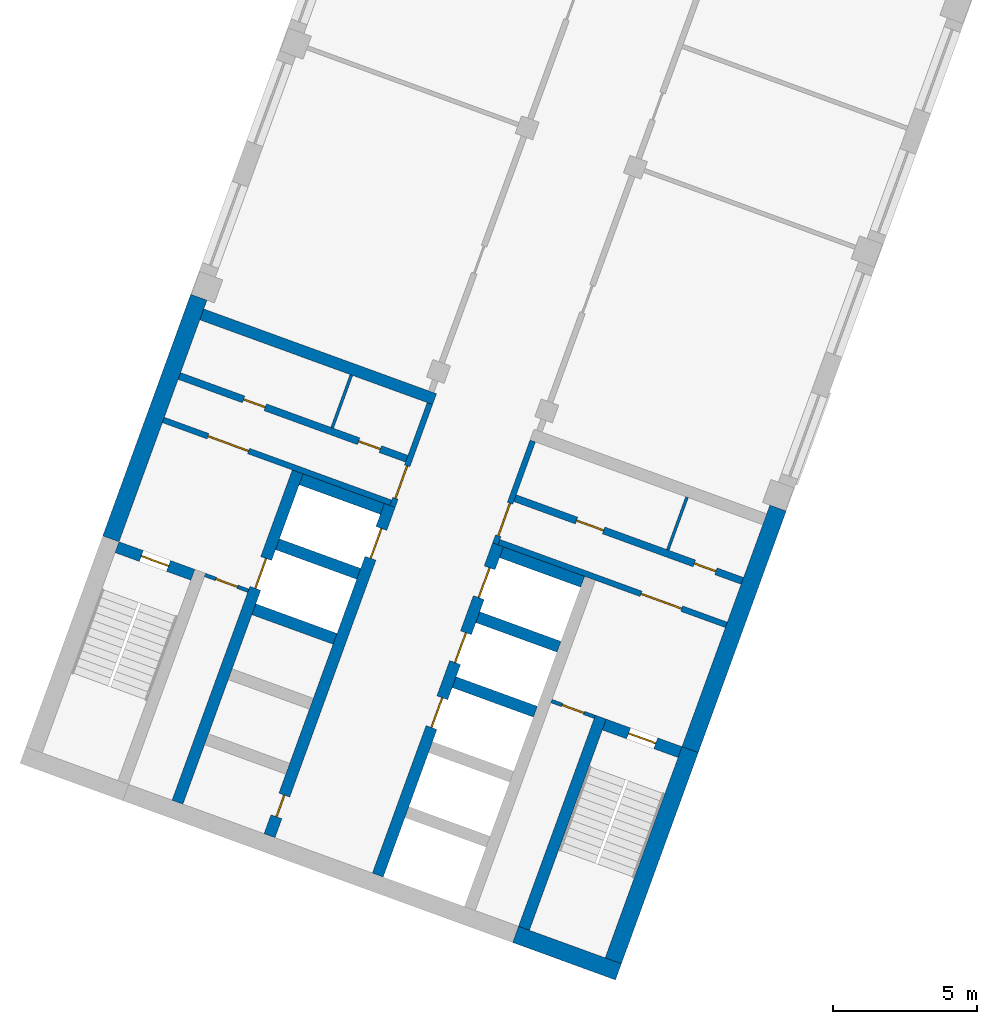
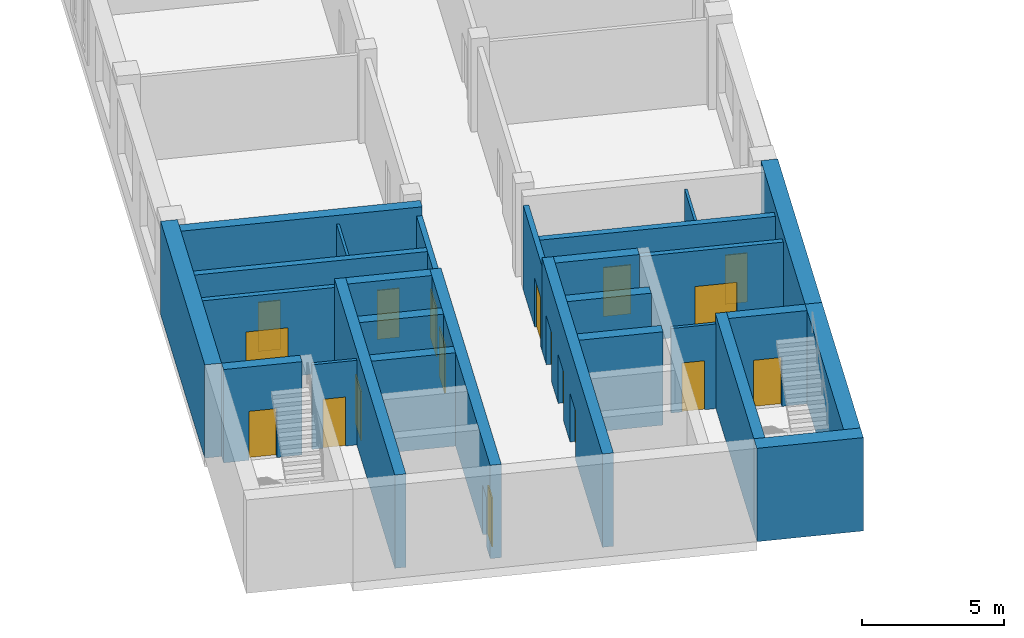
# One storey, part 3 of 14: 27 walls, 18 doors, 18 openings.
"""IFC4 building model written with IfcOpenShell, lengths in metres."""

from ifc_helpers import new_model, si_unit, direction, frame, frame_2d, origin, place, context, subcontext, project, spatial, rectangle, extrude, material, layer, layer_set, type_object, element, fill, save


model = new_model("IFC4")

# Units and contexts
model_context = context("Model", 3, precision=1e-05, world=origin(), true_north=direction((0.0, 1.0)))
body_context = subcontext(model_context, "Body", "Model", "MODEL_VIEW")
ifc_project = project(units=[si_unit("LENGTHUNIT", "METRE"), si_unit("AREAUNIT", "SQUARE_METRE"), si_unit("VOLUMEUNIT", "CUBIC_METRE"), si_unit("PLANEANGLEUNIT", "RADIAN"), si_unit("MASSUNIT", "GRAM", prefix="KILO")], contexts=[model_context])

# Site, building, storey
site_placement = place(None, origin())
site = spatial("IfcSite", under=ifc_project, at=site_placement, CompositionType="ELEMENT")
building_placement = place(site_placement, origin())
building = spatial("IfcBuilding", under=site, at=building_placement, Name="Skarvind Civic Tower", CompositionType="ELEMENT")
storey_placement = place(building_placement, frame((0.0, 0.0, 105.0)))
storey = spatial("IfcBuildingStorey", under=building, at=storey_placement, Name="L24", CompositionType="ELEMENT", Elevation=105.0)

# Wall, opening, door
ifc_material_1 = material(Name="Fire-rated masonry partition", Category="masonry")
ifc_layer_1 = layer(ifc_material_1, 0.199951171875)
ifc_layer_set_1 = layer_set([ifc_layer_1], Name="Core enclosure wall 200")
wall_type_1 = type_object("IfcWallType", Name="Core enclosure wall 200", PredefinedType="PARTITIONING", material=ifc_layer_set_1)
wall_1_placement = place(storey_placement, frame((31.491455078125, 93.693359375, 0.0), z_axis=(0.0, 0.0, 1.0), x_axis=(0.341995824804, 0.939701471648, 0.0)))
wall_1 = element("IfcWall", 1, at=wall_1_placement, inside=storey, type_object=wall_type_1, Name="Core wall C2", PredefinedType="PARTITIONING", context=body_context, shape_type="SweptSolid", body=[
    extrude(rectangle(XDim=3.800048828125, YDim=0.199951171875, at=frame_2d((1.89990234375, 0.0))), origin(), (0.0, 0.0, 1.0), 3.625),
])
opening_1_placement = place(wall_1_placement, frame((0.300048828125, 0.0, 0.0)))
opening_1 = element("IfcOpeningElement", 2, at=opening_1_placement, cuts=wall_1, Name="Opening D-L24-C2-06", PredefinedType="OPENING", context=body_context, shape_type="SweptSolid", body=[
    extrude(rectangle(XDim=1.199951171875, YDim=2.10009765625, at=frame_2d((0.60009765625, 1.050048828125))), frame((0.0, 0.10986328125, 0.0), z_axis=(0.0, -1.0, 0.0), x_axis=(1.0, 0.0, 0.0)), (0.0, 0.0, 1.0), 0.219970703125),
])
ifc_material_2 = material(Name="Fire-rated steel door", Category="steel")
door_type_1 = type_object("IfcDoorType", Name="Core lobby door 1200", OperationType="NOTDEFINED", PredefinedType="DOOR", material=ifc_material_2)
door_1_placement = place(opening_1_placement, origin())
door_1 = element("IfcDoor", 3, at=door_1_placement, inside=storey, type_object=door_type_1, Name="Fire door", OperationType="DOUBLE_DOOR_SINGLE_SWING", OverallHeight=2.10009765625, OverallWidth=1.199951171875, PredefinedType="DOOR", context=body_context, shape_type="SweptSolid", body=[
    extrude(rectangle(XDim=1.199951171875, YDim=2.10009765625, at=frame_2d((0.60009765625, 1.050048828125))), frame((0.0, 0.02490234375, 0.0), z_axis=(0.0, -1.0, 0.0), x_axis=(1.0, 0.0, 0.0)), (0.0, 0.0, 1.0), 0.050048828125),
])
fill(opening_1, door_1)

wall_2_placement = place(storey_placement, frame((23.5380859375, 96.6943359375, 0.0), z_axis=(0.0, 0.0, 1.0), x_axis=(0.939691552312, -0.342023078919, 0.0)))
wall_2 = element("IfcWall", 4, at=wall_2_placement, inside=storey, type_object=wall_type_1, Name="Core wall C2", PredefinedType="PARTITIONING", context=body_context, shape_type="SweptSolid", body=[
    extrude(rectangle(XDim=8.400146484375, YDim=0.199951171875, at=frame_2d((4.2001953125, 0.0))), origin(), (0.0, 0.0, 1.0), 3.625),
])
opening_2_placement = place(wall_2_placement, frame((1.64990234375, 0.0, 0.0)))
opening_2 = element("IfcOpeningElement", 5, at=opening_2_placement, cuts=wall_2, Name="Opening D-L24-C2-07", PredefinedType="OPENING", context=body_context, shape_type="SweptSolid", body=[
    extrude(rectangle(XDim=1.5, YDim=2.10009765625, at=frame_2d((0.75, 1.050048828125))), frame((0.0, 0.10986328125, 0.0), z_axis=(0.0, -1.0, 0.0), x_axis=(1.0, 0.0, 0.0)), (0.0, 0.0, 1.0), 0.219970703125),
])
door_type_2 = type_object("IfcDoorType", Name="Fire door 1500", OperationType="NOTDEFINED", PredefinedType="DOOR", material=ifc_material_2)
door_2_placement = place(opening_2_placement, origin())
door_2 = element("IfcDoor", 6, at=door_2_placement, inside=storey, type_object=door_type_2, Name="Fire door", OperationType="DOUBLE_DOOR_SINGLE_SWING", OverallHeight=2.10009765625, OverallWidth=1.5, PredefinedType="DOOR", context=body_context, shape_type="SweptSolid", body=[
    extrude(rectangle(XDim=1.5, YDim=2.10009765625, at=frame_2d((0.75, 1.050048828125))), frame((0.0, 0.02490234375, 0.0), z_axis=(0.0, -1.0, 0.0), x_axis=(1.0, 0.0, 0.0)), (0.0, 0.0, 1.0), 0.050048828125),
])
fill(opening_2, door_2)

wall_3_placement = place(storey_placement, frame((36.36181640625, 95.96435546875, 0.0), z_axis=(0.0, 0.0, 1.0), x_axis=(-0.341995824804, -0.939701471648, 0.0)))
wall_3 = element("IfcWall", 7, at=wall_3_placement, inside=storey, type_object=wall_type_1, Name="Core wall C2", PredefinedType="PARTITIONING", context=body_context, shape_type="SweptSolid", body=[
    extrude(rectangle(XDim=3.800048828125, YDim=0.199951171875, at=frame_2d((1.89990234375, 0.0))), origin(), (0.0, 0.0, 1.0), 3.625),
])
opening_3_placement = place(wall_3_placement, frame((2.300048828125, 0.0, 0.0)))
opening_3 = element("IfcOpeningElement", 8, at=opening_3_placement, cuts=wall_3, Name="Opening D-L24-C2-12", PredefinedType="OPENING", context=body_context, shape_type="SweptSolid", body=[
    extrude(rectangle(XDim=1.199951171875, YDim=2.10009765625, at=frame_2d((0.60009765625, 1.050048828125))), frame((0.0, 0.10986328125, 0.0), z_axis=(0.0, -1.0, 0.0), x_axis=(1.0, 0.0, 0.0)), (0.0, 0.0, 1.0), 0.219970703125),
])
door_3_placement = place(opening_3_placement, origin())
door_3 = element("IfcDoor", 9, at=door_3_placement, inside=storey, type_object=door_type_1, Name="Fire door", OperationType="DOUBLE_DOOR_SINGLE_SWING", OverallHeight=2.10009765625, OverallWidth=1.199951171875, PredefinedType="DOOR", context=body_context, shape_type="SweptSolid", body=[
    extrude(rectangle(XDim=1.199951171875, YDim=2.10009765625, at=frame_2d((0.60009765625, 1.050048828125))), frame((0.0, 0.02490234375, 0.0), z_axis=(0.0, -1.0, 0.0), x_axis=(1.0, 0.0, 0.0)), (0.0, 0.0, 1.0), 0.050048828125),
])
fill(opening_3, door_3)

wall_4_placement = place(storey_placement, frame((35.1904296875, 92.453369140625, 0.0), z_axis=(0.0, 0.0, 1.0), x_axis=(0.939691552312, -0.342023078919, 0.0)))
wall_4 = element("IfcWall", 10, at=wall_4_placement, inside=storey, type_object=wall_type_1, Name="Core wall C2", PredefinedType="PARTITIONING", context=body_context, shape_type="SweptSolid", body=[
    extrude(rectangle(XDim=8.400146484375, YDim=0.199951171875, at=frame_2d((4.2001953125, 0.0))), origin(), (0.0, 0.0, 1.0), 3.625),
])
opening_4_placement = place(wall_4_placement, frame((5.25, 0.0, 0.0)))
opening_4 = element("IfcOpeningElement", 11, at=opening_4_placement, cuts=wall_4, Name="Opening D-L24-C2-13", PredefinedType="OPENING", context=body_context, shape_type="SweptSolid", body=[
    extrude(rectangle(XDim=1.5, YDim=2.10009765625, at=frame_2d((0.75, 1.050048828125))), frame((0.0, 0.10986328125, 0.0), z_axis=(0.0, -1.0, 0.0), x_axis=(1.0, 0.0, 0.0)), (0.0, 0.0, 1.0), 0.219970703125),
])
door_4_placement = place(opening_4_placement, origin())
door_4 = element("IfcDoor", 12, at=door_4_placement, inside=storey, type_object=door_type_2, Name="Fire door", OperationType="DOUBLE_DOOR_SINGLE_SWING", OverallHeight=2.10009765625, OverallWidth=1.5, PredefinedType="DOOR", context=body_context, shape_type="SweptSolid", body=[
    extrude(rectangle(XDim=1.5, YDim=2.10009765625, at=frame_2d((0.75, 1.050048828125))), frame((0.0, 0.02490234375, 0.0), z_axis=(0.0, -1.0, 0.0), x_axis=(1.0, 0.0, 0.0)), (0.0, 0.0, 1.0), 0.050048828125),
])
fill(opening_4, door_4)

# Walls
ifc_material_3 = material(Name="Fire-rated plasterboard partition")
ifc_layer_2 = layer(ifc_material_3, 0.10009765625)
ifc_layer_set_2 = layer_set([ifc_layer_2], Name="Core partition wall 100")
wall_type_2 = type_object("IfcWallType", Name="Core partition wall 100", PredefinedType="PARTITIONING", material=ifc_layer_set_2)
for number, where, z_axis, x_axis, name in (
    (13, (29.399169921875, 96.423583984375, 0.0), (0.0, 0.0, 1.0), (0.341913947243, 0.939731266204, 0.0), "Core wall C2"),
    (14, (41.71826171875, 94.014892578125, 0.0), (0.0, 0.0, 1.0), (-0.342064742067, -0.939676386973, 0.0), "Core wall C2"),
):
    element("IfcWall", number, at=place(storey_placement, frame(where, z_axis=z_axis, x_axis=x_axis)), inside=storey, type_object=wall_type_2, Name=name, PredefinedType="PARTITIONING", context=body_context, shape_type="SweptSolid", body=[
        extrude(rectangle(XDim=1.949951171875, YDim=0.10009765625, at=frame_2d((0.97509765625, 0.0))), origin(), (0.0, 0.0, 1.0), 3.625),
    ])
ifc_material_4 = material(Name="Concrete C80", Category="concrete")
ifc_layer_3 = layer(ifc_material_4, 0.39990234375)
ifc_layer_set_3 = layer_set([ifc_layer_3], Name="Core wall 400 C80")
wall_type_3 = type_object("IfcWallType", Name="Core wall 400 C80", PredefinedType="SHEAR", material=ifc_layer_set_3)
wall_5_placement = place(storey_placement, frame((36.057861328125, 79.04833984375, 0.0), z_axis=(0.0, 0.0, 1.0), x_axis=(0.342016982193, 0.939693771338, 0.0)))
element("IfcWall", 15, at=wall_5_placement, inside=storey, type_object=wall_type_3, Name="Core wall C2 south stair inner L24", PredefinedType="SHEAR", context=body_context, shape_type="SweptSolid", body=[
    extrude(rectangle(XDim=7.800048828125, YDim=0.39990234375, at=frame_2d((3.89990234375, 0.0))), origin(), (0.0, 0.0, 1.0), 4.0),
])

# Wall, opening, door
wall_6_placement = place(storey_placement, frame((41.476318359375, 85.163818359375, 0.0), z_axis=(0.0, 0.0, 1.0), x_axis=(-0.939678810556, 0.342058084236, 0.0)))
wall_6 = element("IfcWall", 16, at=wall_6_placement, inside=storey, type_object=wall_type_3, Name="Core wall C2 south stair end L24", PredefinedType="SHEAR", context=body_context, shape_type="SweptSolid", body=[
    extrude(rectangle(XDim=2.800048828125, YDim=0.39990234375, at=frame_2d((1.39990234375, 0.0))), origin(), (0.0, 0.0, 1.0), 4.0),
])
opening_5_placement = place(wall_6_placement, frame((0.89990234375, 0.0, 0.0)))
opening_5 = element("IfcOpeningElement", 17, at=opening_5_placement, cuts=wall_6, Name="Opening D-L24-C2-14", PredefinedType="OPENING", context=body_context, shape_type="SweptSolid", body=[
    extrude(rectangle(XDim=1.0, YDim=2.10009765625, at=frame_2d((0.5, 1.050048828125))), frame((0.0, 0.2099609375, 0.0), z_axis=(0.0, -1.0, 0.0), x_axis=(1.0, 0.0, 0.0)), (0.0, 0.0, 1.0), 0.419921875),
])
door_type_3 = type_object("IfcDoorType", Name="Fire door 1000", OperationType="NOTDEFINED", PredefinedType="DOOR", material=ifc_material_2)
door_5_placement = place(opening_5_placement, origin())
door_5 = element("IfcDoor", 18, at=door_5_placement, inside=storey, type_object=door_type_3, Name="Fire door", OperationType="SINGLE_SWING_RIGHT", OverallHeight=2.10009765625, OverallWidth=1.0, PredefinedType="DOOR", context=body_context, shape_type="SweptSolid", body=[
    extrude(rectangle(XDim=1.0, YDim=2.10009765625, at=frame_2d((0.5, 1.050048828125))), frame((0.0, 0.02490234375, 0.0), z_axis=(0.0, -1.0, 0.0), x_axis=(1.0, 0.0, 0.0)), (0.0, 0.0, 1.0), 0.050048828125),
])
fill(opening_5, door_5)

wall_7_placement = place(storey_placement, frame((24.56201171875, 91.3203125, 0.0), z_axis=(0.0, 0.0, 1.0), x_axis=(-0.939717030584, 0.341953070509, 0.0)))
wall_7 = element("IfcWall", 19, at=wall_7_placement, inside=storey, type_object=wall_type_3, Name="Core wall C2 north stair end L24", PredefinedType="SHEAR", context=body_context, shape_type="SweptSolid", body=[
    extrude(rectangle(XDim=2.800048828125, YDim=0.39990234375, at=frame_2d((1.39990234375, 0.0))), origin(), (0.0, 0.0, 1.0), 4.0),
])
opening_6_placement = place(wall_7_placement, frame((0.89990234375, 0.0, 0.0)))
opening_6 = element("IfcOpeningElement", 20, at=opening_6_placement, cuts=wall_7, Name="Opening D-L24-C2-08", PredefinedType="OPENING", context=body_context, shape_type="SweptSolid", body=[
    extrude(rectangle(XDim=1.0, YDim=2.10009765625, at=frame_2d((0.5, 1.050048828125))), frame((0.0, 0.2099609375, 0.0), z_axis=(0.0, -1.0, 0.0), x_axis=(1.0, 0.0, 0.0)), (0.0, 0.0, 1.0), 0.419921875),
])
door_6_placement = place(opening_6_placement, origin())
door_6 = element("IfcDoor", 21, at=door_6_placement, inside=storey, type_object=door_type_3, Name="Fire door", OperationType="SINGLE_SWING_LEFT", OverallHeight=2.10009765625, OverallWidth=1.0, PredefinedType="DOOR", context=body_context, shape_type="SweptSolid", body=[
    extrude(rectangle(XDim=1.0, YDim=2.10009765625, at=frame_2d((0.5, 1.050048828125))), frame((0.0, 0.02490234375, 0.0), z_axis=(0.0, -1.0, 0.0), x_axis=(1.0, 0.0, 0.0)), (0.0, 0.0, 1.0), 0.050048828125),
])
fill(opening_6, door_6)

# Wall, openings, doors
wall_8_placement = place(storey_placement, frame((30.983642578125, 80.895263671875, 0.0), z_axis=(0.0, 0.0, 1.0), x_axis=(0.342021021735, 0.939692301071, 0.0)))
wall_8 = element("IfcWall", 22, at=wall_8_placement, inside=storey, type_object=wall_type_3, Name="Core wall C2 south lift row front L24", PredefinedType="SHEAR", context=body_context, shape_type="SweptSolid", body=[
    extrude(rectangle(XDim=12.199951171875, YDim=0.39990234375, at=frame_2d((6.10009765625, 0.0))), origin(), (0.0, 0.0, 1.0), 4.0),
])
opening_7_placement = place(wall_8_placement, frame((5.449951171875, 0.0, 0.0)))
opening_7 = element("IfcOpeningElement", 23, at=opening_7_placement, cuts=wall_8, Name="Opening LD26208", PredefinedType="OPENING", context=body_context, shape_type="SweptSolid", body=[
    extrude(rectangle(XDim=1.10009765625, YDim=2.10009765625, at=frame_2d((0.550048828125, 1.050048828125))), frame((0.0, 0.2099609375, 0.0), z_axis=(0.0, -1.0, 0.0), x_axis=(1.0, 0.0, 0.0)), (0.0, 0.0, 1.0), 0.419921875),
])
opening_8_placement = place(wall_8_placement, frame((7.85009765625, 0.0, 0.0)))
opening_8 = element("IfcOpeningElement", 24, at=opening_8_placement, cuts=wall_8, Name="Opening LD26209", PredefinedType="OPENING", context=body_context, shape_type="SweptSolid", body=[
    extrude(rectangle(XDim=1.10009765625, YDim=2.10009765625, at=frame_2d((0.550048828125, 1.050048828125))), frame((0.0, 0.2099609375, 0.0), z_axis=(0.0, -1.0, 0.0), x_axis=(1.0, 0.0, 0.0)), (0.0, 0.0, 1.0), 0.419921875),
])
opening_9_placement = place(wall_8_placement, frame((10.25, 0.0, 0.0)))
opening_9 = element("IfcOpeningElement", 25, at=opening_9_placement, cuts=wall_8, Name="Opening LD26210", PredefinedType="OPENING", context=body_context, shape_type="SweptSolid", body=[
    extrude(rectangle(XDim=1.10009765625, YDim=2.10009765625, at=frame_2d((0.550048828125, 1.050048828125))), frame((0.0, 0.2099609375, 0.0), z_axis=(0.0, -1.0, 0.0), x_axis=(1.0, 0.0, 0.0)), (0.0, 0.0, 1.0), 0.419921875),
])
ifc_material_5 = material(Name="Stainless steel landing door", Category="steel")
door_type_4 = type_object("IfcDoorType", Name="Lift landing door 1100", OperationType="DOUBLE_DOOR_SLIDING", PredefinedType="DOOR", material=ifc_material_5)
door_7_placement = place(opening_7_placement, origin())
door_7 = element("IfcDoor", 26, at=door_7_placement, inside=storey, type_object=door_type_4, Name="Lift landing door", OperationType="DOUBLE_DOOR_SLIDING", OverallHeight=2.10009765625, OverallWidth=1.10009765625, PredefinedType="DOOR", context=body_context, shape_type="SweptSolid", body=[
    extrude(rectangle(XDim=1.10009765625, YDim=2.10009765625, at=frame_2d((0.550048828125, 1.050048828125))), frame((0.0, 0.02490234375, 0.0), z_axis=(0.0, -1.0, 0.0), x_axis=(1.0, 0.0, 0.0)), (0.0, 0.0, 1.0), 0.050048828125),
])
fill(opening_7, door_7)
door_8_placement = place(opening_8_placement, origin())
door_8 = element("IfcDoor", 27, at=door_8_placement, inside=storey, type_object=door_type_4, Name="Lift landing door", OperationType="DOUBLE_DOOR_SLIDING", OverallHeight=2.10009765625, OverallWidth=1.10009765625, PredefinedType="DOOR", context=body_context, shape_type="SweptSolid", body=[
    extrude(rectangle(XDim=1.10009765625, YDim=2.10009765625, at=frame_2d((0.550048828125, 1.050048828125))), frame((0.0, 0.02490234375, 0.0), z_axis=(0.0, -1.0, 0.0), x_axis=(1.0, 0.0, 0.0)), (0.0, 0.0, 1.0), 0.050048828125),
])
fill(opening_8, door_8)
door_9_placement = place(opening_9_placement, origin())
door_9 = element("IfcDoor", 28, at=door_9_placement, inside=storey, type_object=door_type_4, Name="Lift landing door", OperationType="DOUBLE_DOOR_SLIDING", OverallHeight=2.10009765625, OverallWidth=1.10009765625, PredefinedType="DOOR", context=body_context, shape_type="SweptSolid", body=[
    extrude(rectangle(XDim=1.10009765625, YDim=2.10009765625, at=frame_2d((0.550048828125, 1.050048828125))), frame((0.0, 0.02490234375, 0.0), z_axis=(0.0, -1.0, 0.0), x_axis=(1.0, 0.0, 0.0)), (0.0, 0.0, 1.0), 0.050048828125),
])
fill(opening_9, door_9)

# Walls
for number, where, z_axis, x_axis, name in (
    (29, (36.453125, 86.56640625, 0.0), (0.0, 0.0, 1.0), (-0.939686455819, 0.342037080957, 0.0), "Core wall C2 south lift row division 3 L24"),
    (30, (37.27392578125, 88.82177734375, 0.0), (0.0, 0.0, 1.0), (-0.939686455819, 0.342037080957, 0.0), "Core wall C2 south lift row division 4 L24"),
):
    element("IfcWall", number, at=place(storey_placement, frame(where, z_axis=z_axis, x_axis=x_axis)), inside=storey, type_object=wall_type_3, Name=name, PredefinedType="SHEAR", context=body_context, shape_type="SweptSolid", body=[
        extrude(rectangle(XDim=3.0, YDim=0.39990234375, at=frame_2d((1.5, 0.0))), origin(), (0.0, 0.0, 1.0), 4.0),
    ])
wall_9_placement = place(storey_placement, frame((38.0947265625, 91.076904296875, 0.0), z_axis=(0.0, 0.0, 1.0), x_axis=(-0.939676934218, 0.342063238742, 0.0)))
element("IfcWall", 31, at=wall_9_placement, inside=storey, type_object=wall_type_3, Name="Core wall C2 south lift row division 5 L24", PredefinedType="SHEAR", context=body_context, shape_type="SweptSolid", body=[
    extrude(rectangle(XDim=2.999755859375, YDim=0.39990234375, at=frame_2d((1.5, 0.0))), origin(), (0.0, 0.0, 1.0), 4.0),
])

# Wall, openings, doors
wall_10_placement = place(storey_placement, frame((27.224853515625, 82.26318359375, 0.0), z_axis=(0.0, 0.0, 1.0), x_axis=(0.342014590177, 0.939694641948, 0.0)))
wall_10 = element("IfcWall", 32, at=wall_10_placement, inside=storey, type_object=wall_type_3, Name="Core wall C2 north lift row front L24", PredefinedType="SHEAR", context=body_context, shape_type="SweptSolid", body=[
    extrude(rectangle(XDim=12.2001953125, YDim=0.39990234375, at=frame_2d((6.10009765625, 0.0))), origin(), (0.0, 0.0, 1.0), 4.0),
])
opening_10_placement = place(wall_10_placement, frame((10.25, 0.0, 0.0)))
opening_10 = element("IfcOpeningElement", 33, at=opening_10_placement, cuts=wall_10, Name="Opening LD26205", PredefinedType="OPENING", context=body_context, shape_type="SweptSolid", body=[
    extrude(rectangle(XDim=1.10009765625, YDim=2.10009765625, at=frame_2d((0.550048828125, 1.050048828125))), frame((0.0, 0.2099609375, 0.0), z_axis=(0.0, -1.0, 0.0), x_axis=(1.0, 0.0, 0.0)), (0.0, 0.0, 1.0), 0.419921875),
])
opening_11_placement = place(wall_10_placement, frame((0.699951171875, 0.0, 0.0)))
opening_11 = element("IfcOpeningElement", 34, at=opening_11_placement, cuts=wall_10, Name="Opening D-L24-C2-05", PredefinedType="OPENING", context=body_context, shape_type="SweptSolid", body=[
    extrude(rectangle(XDim=0.800048828125, YDim=2.10009765625, at=frame_2d((0.39990234375, 1.050048828125))), frame((0.0, 0.2099609375, 0.0), z_axis=(0.0, -1.0, 0.0), x_axis=(1.0, 0.0, 0.0)), (0.0, 0.0, 1.0), 0.419921875),
])
door_type_5 = type_object("IfcDoorType", Name="Core riser door 800", OperationType="NOTDEFINED", PredefinedType="DOOR", material=ifc_material_2)
door_10_placement = place(opening_11_placement, origin())
door_10 = element("IfcDoor", 35, at=door_10_placement, inside=storey, type_object=door_type_5, Name="Riser door", OperationType="SINGLE_SWING_LEFT", OverallHeight=2.10009765625, OverallWidth=0.800048828125, PredefinedType="DOOR", context=body_context, shape_type="SweptSolid", body=[
    extrude(rectangle(XDim=0.800048828125, YDim=2.10009765625, at=frame_2d((0.39990234375, 1.050048828125))), frame((0.0, 0.02490234375, 0.0), z_axis=(0.0, -1.0, 0.0), x_axis=(1.0, 0.0, 0.0)), (0.0, 0.0, 1.0), 0.050048828125),
])
fill(opening_11, door_10)
door_11_placement = place(opening_10_placement, origin())
door_11 = element("IfcDoor", 36, at=door_11_placement, inside=storey, type_object=door_type_4, Name="Lift landing door", OperationType="DOUBLE_DOOR_SLIDING", OverallHeight=2.10009765625, OverallWidth=1.10009765625, PredefinedType="DOOR", context=body_context, shape_type="SweptSolid", body=[
    extrude(rectangle(XDim=1.10009765625, YDim=2.10009765625, at=frame_2d((0.550048828125, 1.050048828125))), frame((0.0, 0.02490234375, 0.0), z_axis=(0.0, -1.0, 0.0), x_axis=(1.0, 0.0, 0.0)), (0.0, 0.0, 1.0), 0.050048828125),
])
fill(opening_10, door_11)

# Wall, opening, door
wall_11_placement = place(storey_placement, frame((24.02978515625, 83.426025390625, 0.0), z_axis=(0.0, 0.0, 1.0), x_axis=(0.342014590177, 0.939694641948, 0.0)))
wall_11 = element("IfcWall", 37, at=wall_11_placement, inside=storey, type_object=wall_type_3, Name="Core wall C2 north lift row back L24", PredefinedType="SHEAR", context=body_context, shape_type="SweptSolid", body=[
    extrude(rectangle(XDim=12.2001953125, YDim=0.39990234375, at=frame_2d((6.10009765625, 0.0))), origin(), (0.0, 0.0, 1.0), 4.0),
])
opening_12_placement = place(wall_11_placement, frame((7.89990234375, 0.0, 0.0)))
opening_12 = element("IfcOpeningElement", 38, at=opening_12_placement, cuts=wall_11, Name="Opening LD26204", PredefinedType="OPENING", context=body_context, shape_type="SweptSolid", body=[
    extrude(rectangle(XDim=1.10009765625, YDim=2.10009765625, at=frame_2d((0.550048828125, 1.050048828125))), frame((0.0, 0.2099609375, 0.0), z_axis=(0.0, -1.0, 0.0), x_axis=(1.0, 0.0, 0.0)), (0.0, 0.0, 1.0), 0.419921875),
])
door_12_placement = place(opening_12_placement, origin())
door_12 = element("IfcDoor", 39, at=door_12_placement, inside=storey, type_object=door_type_4, Name="Lift landing door", OperationType="DOUBLE_DOOR_SLIDING", OverallHeight=2.10009765625, OverallWidth=1.10009765625, PredefinedType="DOOR", context=body_context, shape_type="SweptSolid", body=[
    extrude(rectangle(XDim=1.10009765625, YDim=2.10009765625, at=frame_2d((0.550048828125, 1.050048828125))), frame((0.0, 0.02490234375, 0.0), z_axis=(0.0, -1.0, 0.0), x_axis=(1.0, 0.0, 0.0)), (0.0, 0.0, 1.0), 0.050048828125),
])
fill(opening_12, door_12)

# Walls
for number, where, z_axis, x_axis, name in (
    (40, (29.49951171875, 89.097412109375, 0.0), (0.0, 0.0, 1.0), (-0.939686455819, 0.342037080957, 0.0), "Core wall C2 north lift row division 3 L24"),
    (41, (30.3203125, 91.352783203125, 0.0), (0.0, 0.0, 1.0), (-0.939712609717, 0.341965219194, 0.0), "Core wall C2 north lift row division 4 L24"),
    (42, (31.14111328125, 93.60791015625, 0.0), (0.0, 0.0, 1.0), (-0.939686455819, 0.342037080957, 0.0), "Core wall C2 north lift row division 5 L24"),
):
    element("IfcWall", number, at=place(storey_placement, frame(where, z_axis=z_axis, x_axis=x_axis)), inside=storey, type_object=wall_type_3, Name=name, PredefinedType="SHEAR", context=body_context, shape_type="SweptSolid", body=[
        extrude(rectangle(XDim=3.0, YDim=0.39990234375, at=frame_2d((1.5, 0.0))), origin(), (0.0, 0.0, 1.0), 4.0),
    ])
wall_12_placement = place(storey_placement, frame((32.953369140625, 97.417724609375, 0.0), z_axis=(0.0, 0.0, 1.0), x_axis=(-0.93969060187, 0.342025690201, 0.0)))
element("IfcWall", 43, at=wall_12_placement, inside=storey, type_object=wall_type_3, Name="Core wall C2 north inner face L24", PredefinedType="SHEAR", context=body_context, shape_type="SweptSolid", body=[
    extrude(rectangle(XDim=8.599853515625, YDim=0.39990234375, at=frame_2d((4.2998046875, 0.0))), origin(), (0.0, 0.0, 1.0), 4.0),
])
ifc_layer_4 = layer(ifc_material_4, 0.60009765625)
ifc_layer_set_4 = layer_set([ifc_layer_4], Name="Core wall 600 C80")
wall_type_4 = type_object("IfcWallType", Name="Core wall 600 C80", PredefinedType="SHEAR", material=ifc_layer_set_4)
wall_13_placement = place(storey_placement, frame((39.338134765625, 77.53515625, 0.0), z_axis=(0.0, 0.0, 1.0), x_axis=(-0.939701471648, 0.341995824804, 0.0)))
element("IfcWall", 44, at=wall_13_placement, inside=storey, type_object=wall_type_4, Name="Core wall C2 tip at the south stair L24", PredefinedType="SHEAR", context=body_context, shape_type="SweptSolid", body=[
    extrude(rectangle(XDim=3.800048828125, YDim=0.60009765625, at=frame_2d((1.89990234375, 0.0))), origin(), (0.0, 0.0, 1.0), 4.0),
])
wall_14_placement = place(storey_placement, frame((39.158935546875, 77.919677734375, 0.0), z_axis=(0.0, 0.0, 1.0), x_axis=(0.342016982193, 0.939693771338, 0.0)))
element("IfcWall", 45, at=wall_14_placement, inside=storey, type_object=wall_type_4, Name="Core wall C2 south side at the stair L24", PredefinedType="SHEAR", context=body_context, shape_type="SweptSolid", body=[
    extrude(rectangle(XDim=7.800048828125, YDim=0.60009765625, at=frame_2d((3.89990234375, 0.0))), origin(), (0.0, 0.0, 1.0), 4.0),
])
for number, where, z_axis, x_axis, name in (
    (46, (41.82666015625, 85.249267578125, 0.0), (0.0, 0.0, 1.0), (0.342017595281, 0.939693548195, 0.0), "Core wall C2 south side L24"),
    (47, (21.71728515625, 92.568359375, 0.0), (0.0, 0.0, 1.0), (0.342017595281, 0.939693548195, 0.0), "Core wall C2 north side L24"),
):
    element("IfcWall", number, at=place(storey_placement, frame(where, z_axis=z_axis, x_axis=x_axis)), inside=storey, type_object=wall_type_4, Name=name, PredefinedType="SHEAR", context=body_context, shape_type="SweptSolid", body=[
        extrude(rectangle(XDim=8.925048828125, YDim=0.60009765625, at=frame_2d((4.46240234375, 0.0))), origin(), (0.0, 0.0, 1.0), 4.0),
    ])

# Wall, opening, door
ifc_layer_5 = layer(ifc_material_1, 0.125)
ifc_layer_set_5 = layer_set([ifc_layer_5], Name="Riser wall 125")
wall_type_5 = type_object("IfcWallType", Name="Riser wall 125", PredefinedType="PARTITIONING", material=ifc_layer_set_5)
wall_15_placement = place(storey_placement, frame((24.98486328125, 91.3125, 0.0), z_axis=(0.0, 0.0, 1.0), x_axis=(0.939708740826, -0.341975850632, 0.0)))
wall_15 = element("IfcWall", 48, at=wall_15_placement, inside=storey, type_object=wall_type_5, Name="Core wall C2", PredefinedType="PARTITIONING", context=body_context, shape_type="SweptSolid", body=[
    extrude(rectangle(XDim=1.599853515625, YDim=0.125, at=frame_2d((0.7998046875, 0.0))), origin(), (0.0, 0.0, 1.0), 3.625),
])
opening_13_placement = place(wall_15_placement, frame((0.39990234375, 0.0, 0.0)))
opening_13 = element("IfcOpeningElement", 49, at=opening_13_placement, cuts=wall_15, Name="Opening D-L24-C2-09", PredefinedType="OPENING", context=body_context, shape_type="SweptSolid", body=[
    extrude(rectangle(XDim=0.800048828125, YDim=2.10009765625, at=frame_2d((0.39990234375, 1.050048828125))), frame((0.0, 0.072509765625, 0.0), z_axis=(0.0, -1.0, 0.0), x_axis=(1.0, 0.0, 0.0)), (0.0, 0.0, 1.0), 0.14501953125),
])
door_13_placement = place(opening_13_placement, origin())
door_13 = element("IfcDoor", 50, at=door_13_placement, inside=storey, type_object=door_type_5, Name="Riser door", OperationType="SINGLE_SWING_RIGHT", OverallHeight=2.10009765625, OverallWidth=0.800048828125, PredefinedType="DOOR", context=body_context, shape_type="SweptSolid", body=[
    extrude(rectangle(XDim=0.800048828125, YDim=2.10009765625, at=frame_2d((0.39990234375, 1.050048828125))), frame((0.0, 0.02490234375, 0.0), z_axis=(0.0, -1.0, 0.0), x_axis=(1.0, 0.0, 0.0)), (0.0, 0.0, 1.0), 0.050048828125),
])
fill(opening_13, door_13)

wall_16_placement = place(storey_placement, frame((37.012939453125, 86.934814453125, 0.0), z_axis=(0.0, 0.0, 1.0), x_axis=(0.939659694648, -0.342110593602, 0.0)))
wall_16 = element("IfcWall", 51, at=wall_16_placement, inside=storey, type_object=wall_type_5, Name="Core wall C2", PredefinedType="PARTITIONING", context=body_context, shape_type="SweptSolid", body=[
    extrude(rectangle(XDim=1.599853515625, YDim=0.125, at=frame_2d((0.7998046875, 0.0))), origin(), (0.0, 0.0, 1.0), 3.625),
])
opening_14_placement = place(wall_16_placement, frame((0.39990234375, 0.0, 0.0)))
opening_14 = element("IfcOpeningElement", 52, at=opening_14_placement, cuts=wall_16, Name="Opening D-L24-C2-15", PredefinedType="OPENING", context=body_context, shape_type="SweptSolid", body=[
    extrude(rectangle(XDim=0.800048828125, YDim=2.10009765625, at=frame_2d((0.39990234375, 1.050048828125))), frame((0.0, 0.072509765625, 0.0), z_axis=(0.0, -1.0, 0.0), x_axis=(1.0, 0.0, 0.0)), (0.0, 0.0, 1.0), 0.14501953125),
])
door_14_placement = place(opening_14_placement, origin())
door_14 = element("IfcDoor", 53, at=door_14_placement, inside=storey, type_object=door_type_5, Name="Riser door", OperationType="SINGLE_SWING_LEFT", OverallHeight=2.10009765625, OverallWidth=0.800048828125, PredefinedType="DOOR", context=body_context, shape_type="SweptSolid", body=[
    extrude(rectangle(XDim=0.800048828125, YDim=2.10009765625, at=frame_2d((0.39990234375, 1.050048828125))), frame((0.0, 0.02490234375, 0.0), z_axis=(0.0, -1.0, 0.0), x_axis=(1.0, 0.0, 0.0)), (0.0, 0.0, 1.0), 0.050048828125),
])
fill(opening_14, door_14)

# Wall, openings, doors
ifc_layer_6 = layer(ifc_material_1, 0.25)
ifc_layer_set_6 = layer_set([ifc_layer_6], Name="Service block wall 250")
wall_type_6 = type_object("IfcWallType", Name="Service block wall 250", PredefinedType="PARTITIONING", material=ifc_layer_set_6)
wall_17_placement = place(storey_placement, frame((24.093994140625, 98.221435546875, 0.0), z_axis=(0.0, 0.0, 1.0), x_axis=(0.939691552312, -0.342023078919, 0.0)))
wall_17 = element("IfcWall", 54, at=wall_17_placement, inside=storey, type_object=wall_type_6, Name="Core wall C2", PredefinedType="PARTITIONING", context=body_context, shape_type="SweptSolid", body=[
    extrude(rectangle(XDim=8.400146484375, YDim=0.25, at=frame_2d((4.2001953125, 0.0))), origin(), (0.0, 0.0, 1.0), 3.625),
])
opening_15_placement = place(wall_17_placement, frame((6.625, 0.0, 0.0)))
opening_15 = element("IfcOpeningElement", 55, at=opening_15_placement, cuts=wall_17, Name="Opening D-L24-C2-10", PredefinedType="OPENING", context=body_context, shape_type="SweptSolid", body=[
    extrude(rectangle(XDim=0.800048828125, YDim=2.10009765625, at=frame_2d((0.39990234375, 1.050048828125))), frame((0.0, 0.135009765625, 0.0), z_axis=(0.0, -1.0, 0.0), x_axis=(1.0, 0.0, 0.0)), (0.0, 0.0, 1.0), 0.27001953125),
])
opening_16_placement = place(wall_17_placement, frame((2.375, 0.0, 0.0)))
opening_16 = element("IfcOpeningElement", 56, at=opening_16_placement, cuts=wall_17, Name="Opening D-L24-C2-11", PredefinedType="OPENING", context=body_context, shape_type="SweptSolid", body=[
    extrude(rectangle(XDim=0.800048828125, YDim=2.10009765625, at=frame_2d((0.39990234375, 1.050048828125))), frame((0.0, 0.135009765625, 0.0), z_axis=(0.0, -1.0, 0.0), x_axis=(1.0, 0.0, 0.0)), (0.0, 0.0, 1.0), 0.27001953125),
])
door_15_placement = place(opening_15_placement, origin())
door_15 = element("IfcDoor", 57, at=door_15_placement, inside=storey, type_object=door_type_5, Name="Riser door", OperationType="SINGLE_SWING_LEFT", OverallHeight=2.10009765625, OverallWidth=0.800048828125, PredefinedType="DOOR", context=body_context, shape_type="SweptSolid", body=[
    extrude(rectangle(XDim=0.800048828125, YDim=2.10009765625, at=frame_2d((0.39990234375, 1.050048828125))), frame((0.0, 0.02490234375, 0.0), z_axis=(0.0, -1.0, 0.0), x_axis=(1.0, 0.0, 0.0)), (0.0, 0.0, 1.0), 0.050048828125),
])
fill(opening_15, door_15)
door_16_placement = place(opening_16_placement, origin())
door_16 = element("IfcDoor", 58, at=door_16_placement, inside=storey, type_object=door_type_5, Name="Riser door", OperationType="SINGLE_SWING_RIGHT", OverallHeight=2.10009765625, OverallWidth=0.800048828125, PredefinedType="DOOR", context=body_context, shape_type="SweptSolid", body=[
    extrude(rectangle(XDim=0.800048828125, YDim=2.10009765625, at=frame_2d((0.39990234375, 1.050048828125))), frame((0.0, 0.02490234375, 0.0), z_axis=(0.0, -1.0, 0.0), x_axis=(1.0, 0.0, 0.0)), (0.0, 0.0, 1.0), 0.050048828125),
])
fill(opening_16, door_16)

wall_18_placement = place(storey_placement, frame((35.74609375, 93.98046875, 0.0), z_axis=(0.0, 0.0, 1.0), x_axis=(0.939691552312, -0.342023078919, 0.0)))
wall_18 = element("IfcWall", 59, at=wall_18_placement, inside=storey, type_object=wall_type_6, Name="Core wall C2", PredefinedType="PARTITIONING", context=body_context, shape_type="SweptSolid", body=[
    extrude(rectangle(XDim=8.400146484375, YDim=0.25, at=frame_2d((4.2001953125, 0.0))), origin(), (0.0, 0.0, 1.0), 3.625),
])
opening_17_placement = place(wall_18_placement, frame((2.27490234375, 0.0, 0.0)))
opening_17 = element("IfcOpeningElement", 60, at=opening_17_placement, cuts=wall_18, Name="Opening D-L24-C2-16", PredefinedType="OPENING", context=body_context, shape_type="SweptSolid", body=[
    extrude(rectangle(XDim=1.0, YDim=2.10009765625, at=frame_2d((0.5, 1.050048828125))), frame((0.0, 0.135009765625, 0.0), z_axis=(0.0, -1.0, 0.0), x_axis=(1.0, 0.0, 0.0)), (0.0, 0.0, 1.0), 0.27001953125),
])
opening_18_placement = place(wall_18_placement, frame((6.625, 0.0, 0.0)))
opening_18 = element("IfcOpeningElement", 61, at=opening_18_placement, cuts=wall_18, Name="Opening D-L24-C2-17", PredefinedType="OPENING", context=body_context, shape_type="SweptSolid", body=[
    extrude(rectangle(XDim=0.800048828125, YDim=2.10009765625, at=frame_2d((0.39990234375, 1.050048828125))), frame((0.0, 0.135009765625, 0.0), z_axis=(0.0, -1.0, 0.0), x_axis=(1.0, 0.0, 0.0)), (0.0, 0.0, 1.0), 0.27001953125),
])
door_17_placement = place(opening_18_placement, origin())
door_17 = element("IfcDoor", 62, at=door_17_placement, inside=storey, type_object=door_type_5, Name="Riser door", OperationType="SINGLE_SWING_LEFT", OverallHeight=2.10009765625, OverallWidth=0.800048828125, PredefinedType="DOOR", context=body_context, shape_type="SweptSolid", body=[
    extrude(rectangle(XDim=0.800048828125, YDim=2.10009765625, at=frame_2d((0.39990234375, 1.050048828125))), frame((0.0, 0.02490234375, 0.0), z_axis=(0.0, -1.0, 0.0), x_axis=(1.0, 0.0, 0.0)), (0.0, 0.0, 1.0), 0.050048828125),
])
fill(opening_18, door_17)
door_18_placement = place(opening_17_placement, origin())
door_18 = element("IfcDoor", 63, at=door_18_placement, inside=storey, type_object=door_type_3, Name="Fire door", OperationType="SINGLE_SWING_RIGHT", OverallHeight=2.10009765625, OverallWidth=1.0, PredefinedType="DOOR", context=body_context, shape_type="SweptSolid", body=[
    extrude(rectangle(XDim=1.0, YDim=2.10009765625, at=frame_2d((0.5, 1.050048828125))), frame((0.0, 0.02490234375, 0.0), z_axis=(0.0, -1.0, 0.0), x_axis=(1.0, 0.0, 0.0)), (0.0, 0.0, 1.0), 0.050048828125),
])
fill(opening_17, door_18)

save(model, "model.ifc")
